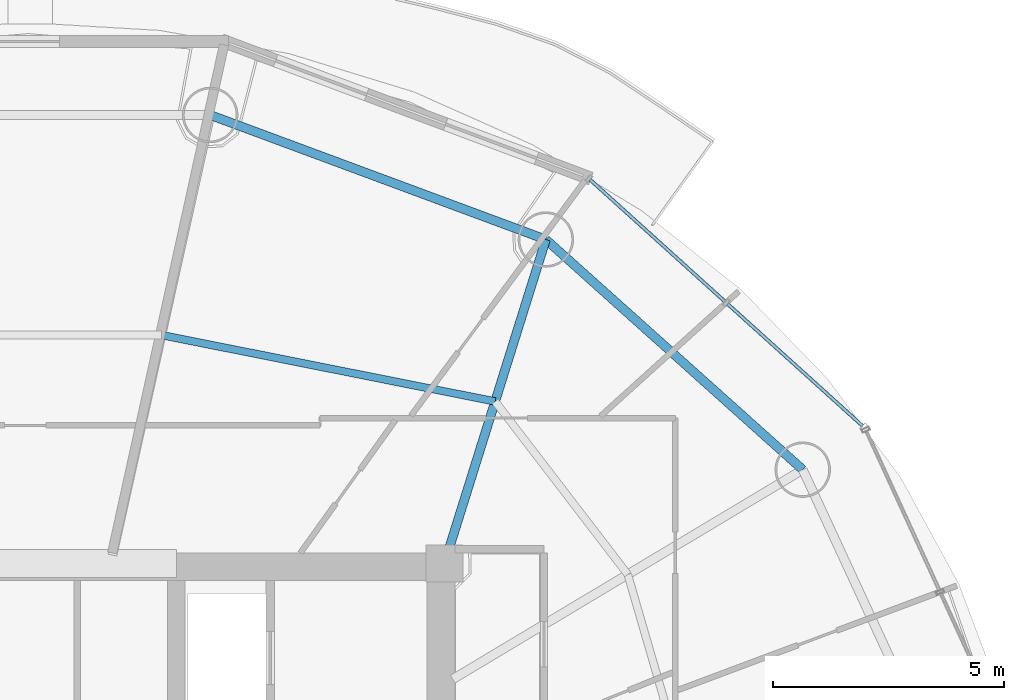
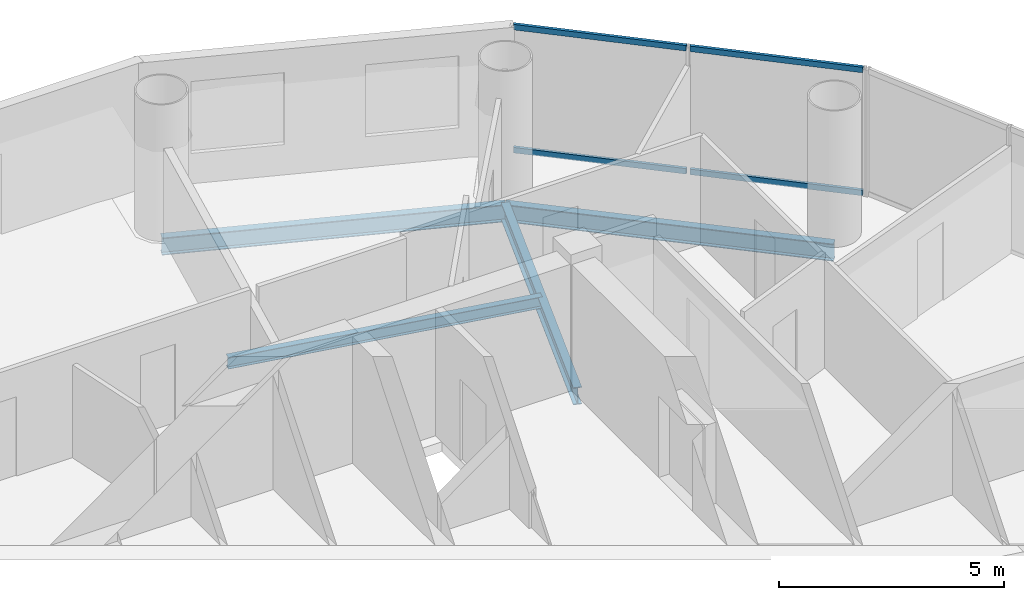
# One storey, part 17 of 26: 4 beams, 4 members, 1 element without a shape of its own.
"""IFC4 building model written with IfcOpenShell, lengths in metres."""

from ifc_helpers import new_model, si_unit, direction, frame, origin, origin_2d, place, context, subcontext, project, spatial, hollow_rectangle, i_section, extrude, source, transform, mapped, material, material_profile, profile_set, type_object, element, aggregate, save


model = new_model("IFC4")

# Units and contexts
model_context = context("Model", 3, precision=1e-05, world=origin(), true_north=direction((-0.2419218956, 0.970295726276)))
body_context = subcontext(model_context, "Body", "Model", "MODEL_VIEW")
ifc_project = project(units=[si_unit("LENGTHUNIT", "METRE"), si_unit("AREAUNIT", "SQUARE_METRE"), si_unit("VOLUMEUNIT", "CUBIC_METRE"), si_unit("PLANEANGLEUNIT", "RADIAN"), si_unit("MASSUNIT", "GRAM", prefix="KILO")], contexts=[model_context])

# Site, building, storey
site_placement = place(None, origin())
site = spatial("IfcSite", under=ifc_project, at=site_placement, CompositionType="ELEMENT")
building_placement = place(site_placement, origin())
building = spatial("IfcBuilding", under=site, at=building_placement, Name="Cobrevalo Terracotta Tower", CompositionType="ELEMENT")
storey_placement = place(building_placement, frame((0.0, 0.0, 213.39990234375)))
storey = spatial("IfcBuildingStorey", under=building, at=storey_placement, Name="L56", CompositionType="ELEMENT", Elevation=213.39990234375)

# Beams
ifc_material_1 = material(Name="Steel S355", Category="steel")
ifc_material_profile_1 = material_profile(ifc_material_1, i_section(OverallWidth=0.194091796875, OverallDepth=0.468994140625, WebThickness=0.011474609375, FlangeThickness=0.0205078125, at=origin_2d()), Name="W 460x106")
ifc_profile_set_1 = profile_set([ifc_material_profile_1], Name="Steel S355")
beam_type_1 = type_object("IfcBeamType", Name="Structural Beam W 460x106 (Steel S355)", PredefinedType="BEAM", material=ifc_profile_set_1)
beam_1_placement = place(storey_placement, frame((49.19482421875, 41.80810546875, -0.49951171875), z_axis=(-0.298871212691, -0.954293454984, 0.0), x_axis=(0.954293454984, -0.298871212691, 0.0)))
element("IfcBeam", 1, at=beam_1_placement, inside=storey, type_object=beam_type_1, Name="L56 radial floor girder 03", PredefinedType="BEAM", context=body_context, shape_type="SweptSolid", body=[
    extrude(i_section(OverallWidth=0.194091796875, OverallDepth=0.468994140625, WebThickness=0.011474609375, FlangeThickness=0.0205078125, at=origin_2d()), origin(), (0.0, 0.0, 1.0), 7.34375),
])
ifc_material_profile_2 = material_profile(ifc_material_1, i_section(OverallWidth=0.1650390625, OverallDepth=0.31005859375, WebThickness=0.005859375, FlangeThickness=0.009765625, at=origin_2d()), Name="W 310x38.7")
ifc_profile_set_2 = profile_set([ifc_material_profile_2], Name="Steel S355")
beam_type_2 = type_object("IfcBeamType", Name="Structural Joist W 310x38.7 (Steel S355)", PredefinedType="JOIST", material=ifc_profile_set_2)
beam_2_placement = place(storey_placement, frame((48.097412109375, 38.303955078125, -0.419921875), z_axis=(-0.980762562197, 0.195204499418, 0.0), x_axis=(-0.195204499418, -0.980762562197, 0.0)))
element("IfcBeam", 2, at=beam_2_placement, inside=storey, type_object=beam_type_2, Name="L56 circumferential secondary floor joist 03", PredefinedType="JOIST", context=body_context, shape_type="SweptSolid", body=[
    extrude(i_section(OverallWidth=0.1650390625, OverallDepth=0.31005859375, WebThickness=0.005859375, FlangeThickness=0.009765625, at=origin_2d()), origin(), (0.0, 0.0, 1.0), 7.365234375),
])
ifc_material_profile_3 = material_profile(ifc_material_1, i_section(OverallWidth=0.194091796875, OverallDepth=0.468994140625, WebThickness=0.011474609375, FlangeThickness=0.0205078125, at=origin_2d()), Name="W 460x106")
ifc_profile_set_3 = profile_set([ifc_material_profile_3], Name="Steel S355")
beam_type_3 = type_object("IfcBeamType", Name="Structural Spandrel W 460x106 (Steel S355)", PredefinedType="SPANDREL", material=ifc_profile_set_3)
beam_3_placement = place(storey_placement, frame((54.754150390625, 36.828125, -0.49951171875), z_axis=(-0.744851930997, 0.667229796165, 0.0), x_axis=(-0.667229796165, -0.744851930997, 0.0)))
element("IfcBeam", 3, at=beam_3_placement, inside=storey, type_object=beam_type_3, Name="L56 perimeter ring spandrel 02", PredefinedType="SPANDREL", context=body_context, shape_type="SweptSolid", body=[
    extrude(i_section(OverallWidth=0.194091796875, OverallDepth=0.468994140625, WebThickness=0.011474609375, FlangeThickness=0.0205078125, at=origin_2d()), origin(), (0.0, 0.0, 1.0), 7.463623046875),
])
beam_4_placement = place(storey_placement, frame((49.19482421875, 41.80810546875, -0.49951171875), z_axis=(-0.937545996665, 0.347861328892, 0.0), x_axis=(-0.347861328892, -0.937545996665, 0.0)))
element("IfcBeam", 4, at=beam_4_placement, inside=storey, type_object=beam_type_3, Name="L56 perimeter ring spandrel 03", PredefinedType="SPANDREL", context=body_context, shape_type="SweptSolid", body=[
    extrude(i_section(OverallWidth=0.194091796875, OverallDepth=0.468994140625, WebThickness=0.011474609375, FlangeThickness=0.0205078125, at=origin_2d()), origin(), (0.0, 0.0, 1.0), 7.74755859375),
])

# Curtain wall, members
ifc_material_2 = material(Name="Anodized aluminium", Category="aluminium")
curtain_wall_type = type_object("IfcCurtainWallType", Name="Mid-tower high-wind unitised curtain wall CW-U2", PredefinedType="NOTDEFINED", material=ifc_material_2)
curtain_wall_placement = place(storey_placement, origin())
curtain_wall = element("IfcCurtainWall", 5, at=curtain_wall_placement, inside=storey, type_object=curtain_wall_type, Name="L56 curtain wall CW-L56-S02", PredefinedType="NOTDEFINED")
ifc_material_profile_4 = material_profile(ifc_material_2, hollow_rectangle(XDim=0.074951171875, YDim=0.14990234375, WallThickness=0.00439453125, at=origin_2d()), Name="CWT 75x150")
ifc_profile_set_4 = profile_set([ifc_material_profile_4], Name="Anodized aluminium")
member_type = type_object("IfcMemberType", Name="Tower unitised aluminium transom 75x150", PredefinedType="USERDEFINED", material=ifc_profile_set_4)
shared_shape_1 = source(origin(), body_context, "Body", "SweptSolid", [
    extrude(hollow_rectangle(XDim=0.074951171875, YDim=0.14990234375, WallThickness=0.00439453125, at=origin_2d()), origin(), (0.0, 0.0, 1.0), 3.927490234375),
])
member_1_placement = place(storey_placement, frame((56.041748046875, 37.78173828125, 0.050048828125), z_axis=(-0.741975952623, 0.670426495396, 0.0), x_axis=(-0.670426495396, -0.741975952623, 0.0)))
member_1 = element("IfcMember", 6, at=member_1_placement, type_object=member_type, Name="CW-L56-S02 transom B01-T1", ObjectType="TRANSOM", PredefinedType="USERDEFINED", context=body_context, shape_type="MappedRepresentation", body=[
    mapped(shared_shape_1, transform((0.0, 0.0, 0.0), scale=1.0)),
])
member_2_placement = place(storey_placement, frame((56.041748046875, 37.78173828125, 3.385009765625), z_axis=(-0.741975952623, 0.670426495396, 0.0), x_axis=(-0.670426495396, -0.741975952623, 0.0)))
member_2 = element("IfcMember", 7, at=member_2_placement, type_object=member_type, Name="CW-L56-S02 transom B01-T2", ObjectType="TRANSOM", PredefinedType="USERDEFINED", context=body_context, shape_type="MappedRepresentation", body=[
    mapped(shared_shape_1, transform((0.0, 0.0, 0.0), scale=1.0)),
])
shared_shape_2 = source(origin(), body_context, "Body", "SweptSolid", [
    extrude(hollow_rectangle(XDim=0.074951171875, YDim=0.14990234375, WallThickness=0.00439453125, at=origin_2d()), origin(), (0.0, 0.0, 1.0), 3.927734375),
])
member_3_placement = place(storey_placement, frame((53.068359375, 40.46826171875, 0.050048828125), z_axis=(-0.742003891138, 0.670395573923, 0.0), x_axis=(-0.670395573923, -0.742003891138, 0.0)))
member_3 = element("IfcMember", 8, at=member_3_placement, type_object=member_type, Name="CW-L56-S02 transom B02-T1", ObjectType="TRANSOM", PredefinedType="USERDEFINED", context=body_context, shape_type="MappedRepresentation", body=[
    mapped(shared_shape_2, transform((0.0, 0.0, 0.0), scale=1.0)),
])
member_4_placement = place(storey_placement, frame((53.068359375, 40.46826171875, 3.385009765625), z_axis=(-0.742003891138, 0.670395573923, 0.0), x_axis=(-0.670395573923, -0.742003891138, 0.0)))
member_4 = element("IfcMember", 9, at=member_4_placement, type_object=member_type, Name="CW-L56-S02 transom B02-T2", ObjectType="TRANSOM", PredefinedType="USERDEFINED", context=body_context, shape_type="MappedRepresentation", body=[
    mapped(shared_shape_2, transform((0.0, 0.0, 0.0), scale=1.0)),
])
aggregate(curtain_wall, [member_1, member_2, member_3, member_4])

save(model, "model.ifc")
